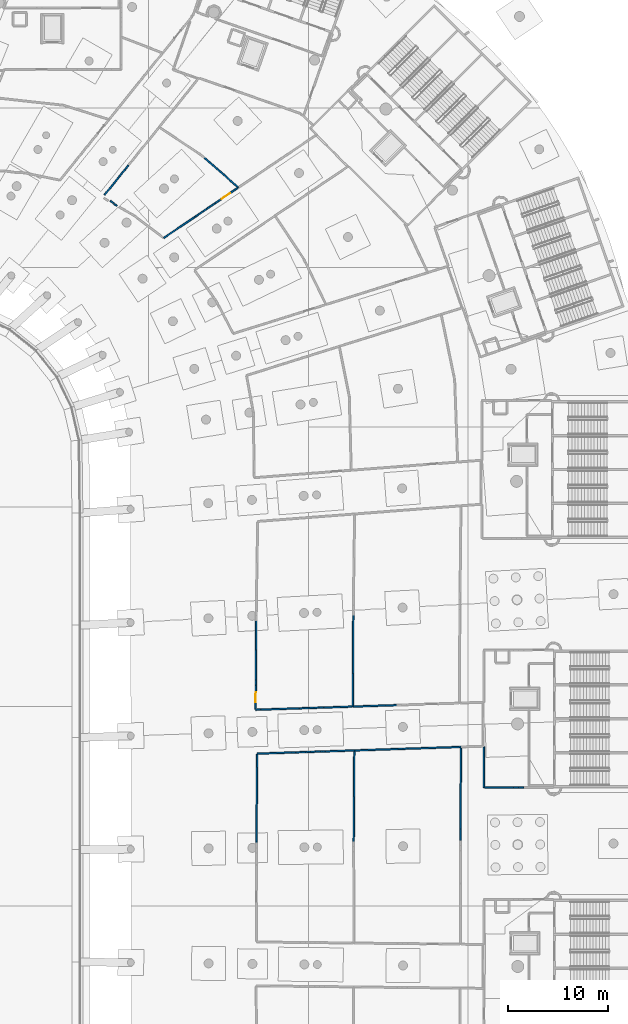
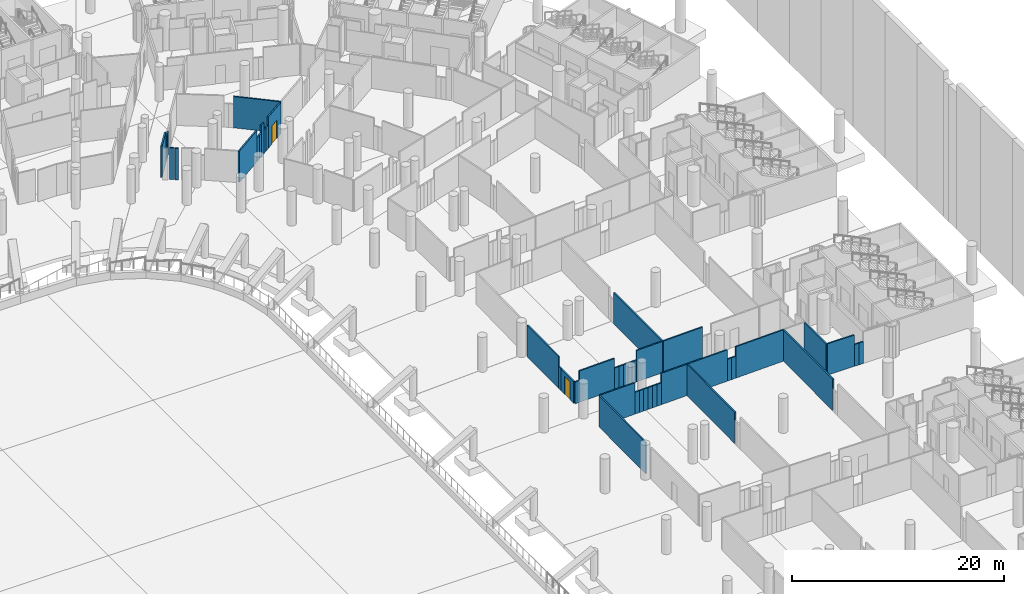
# One storey, part 82 of 142: 46 walls, 2 doors, 2 openings.
"""IFC4 building model written with IfcOpenShell, lengths in metres."""

from ifc_helpers import new_model, si_unit, direction, frame, frame_2d, origin, place, context, subcontext, project, spatial, rectangle, extrude, material, layer, layer_set, type_object, element, fill, save


model = new_model("IFC4")

# Units and contexts
model_context = context("Model", 3, precision=1e-05, world=origin(), true_north=direction((0.0, 1.0)))
body_context = subcontext(model_context, "Body", "Model", "MODEL_VIEW")
ifc_project = project(units=[si_unit("LENGTHUNIT", "METRE"), si_unit("AREAUNIT", "SQUARE_METRE"), si_unit("VOLUMEUNIT", "CUBIC_METRE"), si_unit("PLANEANGLEUNIT", "RADIAN"), si_unit("MASSUNIT", "GRAM", prefix="KILO")], contexts=[model_context])

# Site, building, storey
site_placement = place(None, origin())
site = spatial("IfcSite", under=ifc_project, at=site_placement, CompositionType="ELEMENT")
building_placement = place(site_placement, origin())
building = spatial("IfcBuilding", under=site, at=building_placement, Name="Meseta Stadium", CompositionType="ELEMENT")
storey_placement = place(building_placement, frame((0.0, 0.0, -4.0)))
storey = spatial("IfcBuildingStorey", under=building, at=storey_placement, Name="B1", CompositionType="ELEMENT", Elevation=-4.0)

# Walls
ifc_material_1 = material(Name="Masonry blockwork", Category="masonry")
ifc_layer = layer(ifc_material_1, 0.14990234375)
ifc_layer_set = layer_set([ifc_layer], Name="Partition 150")
wall_type = type_object("IfcWallType", Name="Partition 150", PredefinedType="PARTITIONING", material=ifc_layer_set)
wall_1_placement = place(storey_placement, frame((58.86279296875, 15.261474609375, 0.0), z_axis=(0.0, 0.0, 1.0), x_axis=(0.999459745106, 0.032866668724, 0.0)))
element("IfcWall", 1, at=wall_1_placement, inside=storey, type_object=wall_type, Name="Partition B1 B1-cell02-1-0", PredefinedType="PARTITIONING", context=body_context, shape_type="SweptSolid", body=[
    extrude(rectangle(XDim=3.89990234375, YDim=0.14990234375, at=frame_2d((1.949951171875, 0.0))), origin(), (0.0, 0.0, 1.0), 3.60009765625),
])
for number, where, z_axis, x_axis, name in (
    (2, (62.760498046875, 15.3896484375, 0.0), (0.0, 0.0, 1.0), (0.999470177511, 0.032547876522, 0.0), "Partition B1 B1-cell02-1-0"),
    (3, (63.247802734375, 15.405517578125, 0.0), (0.0, 0.0, 1.0), (0.999453763336, 0.033048070331, 0.0), "Partition B1 B1-cell02-1-0"),
    (4, (63.735107421875, 15.421630859375, 0.0), (0.0, 0.0, 1.0), (0.999453763336, 0.033048070331, 0.0), "Partition B1 B1-cell02-1-0"),
):
    element("IfcWall", number, at=place(storey_placement, frame(where, z_axis=z_axis, x_axis=x_axis)), inside=storey, type_object=wall_type, Name=name, PredefinedType="PARTITIONING", context=body_context, shape_type="SweptSolid", body=[
        extrude(rectangle(XDim=0.487548828125, YDim=0.14990234375, at=frame_2d((0.24365234375, 0.0))), origin(), (0.0, 0.0, 1.0), 2.5),
    ])
wall_2_placement = place(storey_placement, frame((64.222412109375, 15.437744140625, 0.0), z_axis=(0.0, 0.0, 1.0), x_axis=(0.99946964665, 0.032564173951, 0.0)))
element("IfcWall", 5, at=wall_2_placement, inside=storey, type_object=wall_type, Name="Partition B1 B1-cell02-1-0", PredefinedType="PARTITIONING", context=body_context, shape_type="SweptSolid", body=[
    extrude(rectangle(XDim=0.4873046875, YDim=0.14990234375, at=frame_2d((0.24365234375, 0.0))), origin(), (0.0, 0.0, 1.0), 2.5),
])
for number, where, z_axis, x_axis, name in (
    (6, (64.70947265625, 15.45361328125, 0.0), (0.0, 0.0, 1.0), (0.999453763336, 0.033048070331, 0.0), "Partition B1 B1-cell02-1-0"),
    (7, (65.19677734375, 15.4697265625, 0.0), (0.0, 0.0, 1.0), (0.999453763336, 0.033048070331, 0.0), "Partition B1 B1-cell02-1-0"),
):
    element("IfcWall", number, at=place(storey_placement, frame(where, z_axis=z_axis, x_axis=x_axis)), inside=storey, type_object=wall_type, Name=name, PredefinedType="PARTITIONING", context=body_context, shape_type="SweptSolid", body=[
        extrude(rectangle(XDim=0.487548828125, YDim=0.14990234375, at=frame_2d((0.24365234375, 0.0))), origin(), (0.0, 0.0, 1.0), 2.5),
    ])
wall_3_placement = place(storey_placement, frame((65.68408203125, 15.48583984375, 0.0), z_axis=(0.0, 0.0, 1.0), x_axis=(0.999461822055, 0.032803448811, 0.0)))
element("IfcWall", 8, at=wall_3_placement, inside=storey, type_object=wall_type, Name="Partition B1 B1-cell02-1-0", PredefinedType="PARTITIONING", context=body_context, shape_type="SweptSolid", body=[
    extrude(rectangle(XDim=2.9248046875, YDim=0.14990234375, at=frame_2d((1.46240234375, 0.0))), origin(), (0.0, 0.0, 1.0), 3.60009765625),
])
wall_4_placement = place(storey_placement, frame((68.60693359375, 15.5068359375, 0.0), z_axis=(0.0, 0.0, 1.0), x_axis=(-0.006118883866, -0.999981279455, 0.0)))
element("IfcWall", 9, at=wall_4_placement, inside=storey, type_object=wall_type, Name="Partition B1 B1-cell02-1-0", PredefinedType="PARTITIONING", context=body_context, shape_type="SweptSolid", body=[
    extrude(rectangle(XDim=9.09716796875, YDim=0.14990234375, at=frame_2d((4.548583984375, 0.0))), origin(), (0.0, 0.0, 1.0), 3.60009765625),
])
wall_5_placement = place(storey_placement, frame((58.80224609375, 6.317138671875, 0.0), z_axis=(0.0, 0.0, 1.0), x_axis=(0.006771480952, 0.99997707326, 0.0)))
element("IfcWall", 10, at=wall_5_placement, inside=storey, type_object=wall_type, Name="Partition B1 B1-cell02-1-0", PredefinedType="PARTITIONING", context=body_context, shape_type="SweptSolid", body=[
    extrude(rectangle(XDim=8.869384765625, YDim=0.14990234375, at=frame_2d((4.4345703125, 0.0))), origin(), (0.0, 0.0, 1.0), 3.60009765625),
])
wall_6_placement = place(storey_placement, frame((68.6572265625, 15.58349609375, 0.0), z_axis=(0.0, 0.0, 1.0), x_axis=(0.999458873683, 0.032893157594, 0.0)))
element("IfcWall", 11, at=wall_6_placement, inside=storey, type_object=wall_type, Name="Partition B1 B1-cell02-2-0", PredefinedType="PARTITIONING", context=body_context, shape_type="SweptSolid", body=[
    extrude(rectangle(XDim=4.35693359375, YDim=0.14990234375, at=frame_2d((2.178466796875, 0.0))), origin(), (0.0, 0.0, 1.0), 3.60009765625),
])
for number, where, z_axis, x_axis, name in (
    (12, (73.01171875, 15.726806640625, 0.0), (0.0, 0.0, 1.0), (0.99946267225, 0.03277753466, 0.0), "Partition B1 B1-cell02-2-0"),
    (13, (73.49560546875, 15.74267578125, 0.0), (0.0, 0.0, 1.0), (0.999446025752, 0.033281250101, 0.0), "Partition B1 B1-cell02-2-0"),
):
    element("IfcWall", number, at=place(storey_placement, frame(where, z_axis=z_axis, x_axis=x_axis)), inside=storey, type_object=wall_type, Name=name, PredefinedType="PARTITIONING", context=body_context, shape_type="SweptSolid", body=[
        extrude(rectangle(XDim=0.484130859375, YDim=0.14990234375, at=frame_2d((0.2421875, 0.0))), origin(), (0.0, 0.0, 1.0), 2.5),
    ])
wall_7_placement = place(storey_placement, frame((73.9794921875, 15.7587890625, 0.0), z_axis=(0.0, 0.0, 1.0), x_axis=(0.999461070607, 0.03282633608, 0.0)))
element("IfcWall", 14, at=wall_7_placement, inside=storey, type_object=wall_type, Name="Partition B1 B1-cell02-2-0", PredefinedType="PARTITIONING", context=body_context, shape_type="SweptSolid", body=[
    extrude(rectangle(XDim=5.3251953125, YDim=0.14990234375, at=frame_2d((2.66259765625, 0.0))), origin(), (0.0, 0.0, 1.0), 3.60009765625),
])
wall_8_placement = place(storey_placement, frame((79.30126953125, 15.858642578125, 0.0), z_axis=(0.0, 0.0, 1.0), x_axis=(-0.00544865386, -0.999985155975, 0.0)))
element("IfcWall", 15, at=wall_8_placement, inside=storey, type_object=wall_type, Name="Partition B1 B1-cell02-2-0", PredefinedType="PARTITIONING", context=body_context, shape_type="SweptSolid", body=[
    extrude(rectangle(XDim=9.320068359375, YDim=0.14990234375, at=frame_2d((4.66015625, 0.0))), origin(), (0.0, 0.0, 1.0), 3.60009765625),
])
wall_9_placement = place(storey_placement, frame((81.60009765625, 15.934326171875, 0.0), z_axis=(0.0, 0.0, 1.0), x_axis=(0.0, -1.0, 0.0)))
element("IfcWall", 16, at=wall_9_placement, inside=storey, type_object=wall_type, Name="Partition B1 B1-cell02-3-0", PredefinedType="PARTITIONING", context=body_context, shape_type="SweptSolid", body=[
    extrude(rectangle(XDim=4.084228515625, YDim=0.14990234375, at=frame_2d((2.0419921875, 0.0))), origin(), (0.0, 0.0, 1.0), 3.60009765625),
])
wall_10_placement = place(storey_placement, frame((81.675048828125, 11.85009765625, 0.0), z_axis=(0.0, 0.0, 1.0), x_axis=(1.0, 0.0, 0.0)))
element("IfcWall", 17, at=wall_10_placement, inside=storey, type_object=wall_type, Name="Partition B1 B1-cell02-3-0", PredefinedType="PARTITIONING", context=body_context, shape_type="SweptSolid", body=[
    extrude(rectangle(XDim=2.907958984375, YDim=0.14990234375, at=frame_2d((1.4541015625, 0.0))), origin(), (0.0, 0.0, 1.0), 3.60009765625),
])
for number, where, z_axis, x_axis, name in (
    (18, (84.5830078125, 11.85009765625, 0.0), (0.0, 0.0, 1.0), (1.0, 0.0, 0.0), "Partition B1 B1-cell02-3-0"),
    (19, (85.080078125, 11.85009765625, 0.0), (0.0, 0.0, 1.0), (1.0, 0.0, 0.0), "Partition B1 B1-cell02-3-0"),
):
    element("IfcWall", number, at=place(storey_placement, frame(where, z_axis=z_axis, x_axis=x_axis)), inside=storey, type_object=wall_type, Name=name, PredefinedType="PARTITIONING", context=body_context, shape_type="SweptSolid", body=[
        extrude(rectangle(XDim=0.4970703125, YDim=0.14990234375, at=frame_2d((0.24853515625, 0.0))), origin(), (0.0, 0.0, 1.0), 2.5),
    ])
wall_11_placement = place(storey_placement, frame((68.50634765625, 29.150390625, 0.0), z_axis=(0.0, 0.0, 1.0), x_axis=(-0.004738526292, -0.999988773121, 0.0)))
element("IfcWall", 20, at=wall_11_placement, inside=storey, type_object=wall_type, Name="Partition B1 B1-cell03-1-0", PredefinedType="PARTITIONING", context=body_context, shape_type="SweptSolid", body=[
    extrude(rectangle(XDim=9.1708984375, YDim=0.14990234375, at=frame_2d((4.58544921875, 0.0))), origin(), (0.0, 0.0, 1.0), 3.60009765625),
])
wall_12_placement = place(storey_placement, frame((68.3876953125, 19.97705078125, 0.0), z_axis=(0.0, 0.0, 1.0), x_axis=(-0.99945879552, -0.032895532483, 0.0)))
element("IfcWall", 21, at=wall_12_placement, inside=storey, type_object=wall_type, Name="Partition B1 B1-cell03-1-0", PredefinedType="PARTITIONING", context=body_context, shape_type="SweptSolid", body=[
    extrude(rectangle(XDim=2.849853515625, YDim=0.14990234375, at=frame_2d((1.4248046875, 0.0))), origin(), (0.0, 0.0, 1.0), 3.60009765625),
])
wall_13_placement = place(storey_placement, frame((65.539306640625, 19.88330078125, 0.0), z_axis=(0.0, 0.0, 1.0), x_axis=(-0.999470177511, -0.032547876522, 0.0)))
element("IfcWall", 22, at=wall_13_placement, inside=storey, type_object=wall_type, Name="Partition B1 B1-cell03-1-0", PredefinedType="PARTITIONING", context=body_context, shape_type="SweptSolid", body=[
    extrude(rectangle(XDim=0.487548828125, YDim=0.14990234375, at=frame_2d((0.24365234375, 0.0))), origin(), (0.0, 0.0, 1.0), 2.5),
])
wall_14_placement = place(storey_placement, frame((65.052001953125, 19.867431640625, 0.0), z_axis=(0.0, 0.0, 1.0), x_axis=(-0.999453216043, -0.033064617674, 0.0)))
element("IfcWall", 23, at=wall_14_placement, inside=storey, type_object=wall_type, Name="Partition B1 B1-cell03-1-0", PredefinedType="PARTITIONING", context=body_context, shape_type="SweptSolid", body=[
    extrude(rectangle(XDim=0.4873046875, YDim=0.14990234375, at=frame_2d((0.24365234375, 0.0))), origin(), (0.0, 0.0, 1.0), 2.5),
])
for number, where, z_axis, x_axis, name in (
    (24, (64.56494140625, 19.851318359375, 0.0), (0.0, 0.0, 1.0), (-0.999453763336, -0.033048070331, 0.0), "Partition B1 B1-cell03-1-0"),
    (25, (64.07763671875, 19.835205078125, 0.0), (0.0, 0.0, 1.0), (-0.999470177511, -0.032547876522, 0.0), "Partition B1 B1-cell03-1-0"),
):
    element("IfcWall", number, at=place(storey_placement, frame(where, z_axis=z_axis, x_axis=x_axis)), inside=storey, type_object=wall_type, Name=name, PredefinedType="PARTITIONING", context=body_context, shape_type="SweptSolid", body=[
        extrude(rectangle(XDim=0.487548828125, YDim=0.14990234375, at=frame_2d((0.24365234375, 0.0))), origin(), (0.0, 0.0, 1.0), 2.5),
    ])
wall_15_placement = place(storey_placement, frame((63.59033203125, 19.8193359375, 0.0), z_axis=(0.0, 0.0, 1.0), x_axis=(-0.999453216043, -0.033064617674, 0.0)))
element("IfcWall", 26, at=wall_15_placement, inside=storey, type_object=wall_type, Name="Partition B1 B1-cell03-1-0", PredefinedType="PARTITIONING", context=body_context, shape_type="SweptSolid", body=[
    extrude(rectangle(XDim=0.4873046875, YDim=0.14990234375, at=frame_2d((0.24365234375, 0.0))), origin(), (0.0, 0.0, 1.0), 2.5),
])
wall_16_placement = place(storey_placement, frame((63.103271484375, 19.80322265625, 0.0), z_axis=(0.0, 0.0, 1.0), x_axis=(-0.999459812725, -0.032864612406, 0.0)))
element("IfcWall", 27, at=wall_16_placement, inside=storey, type_object=wall_type, Name="Partition B1 B1-cell03-1-0", PredefinedType="PARTITIONING", context=body_context, shape_type="SweptSolid", body=[
    extrude(rectangle(XDim=3.900146484375, YDim=0.14990234375, at=frame_2d((1.9501953125, 0.0))), origin(), (0.0, 0.0, 1.0), 3.60009765625),
])
wall_17_placement = place(storey_placement, frame((59.205322265625, 19.675048828125, 0.0), z_axis=(0.0, 0.0, 1.0), x_axis=(-0.999453763336, -0.033048070331, 0.0)))
element("IfcWall", 28, at=wall_17_placement, inside=storey, type_object=wall_type, Name="Partition B1 B1-cell03-1-0", PredefinedType="PARTITIONING", context=body_context, shape_type="SweptSolid", body=[
    extrude(rectangle(XDim=0.487548828125, YDim=0.14990234375, at=frame_2d((0.24365234375, 0.0))), origin(), (0.0, 0.0, 1.0), 2.5),
])

# Wall, opening, door
wall_18_placement = place(storey_placement, frame((58.718505859375, 19.734130859375, 0.0), z_axis=(0.0, 0.0, 1.0), x_axis=(0.005877482589, 0.99998272745, 0.0)))
wall_18 = element("IfcWall", 29, at=wall_18_placement, inside=storey, type_object=wall_type, Name="Partition B1 B1-cell03-1-0", PredefinedType="PARTITIONING", context=body_context, shape_type="SweptSolid", body=[
    extrude(rectangle(XDim=2.4091796875, YDim=0.14990234375, at=frame_2d((1.20458984375, 0.0))), origin(), (0.0, 0.0, 1.0), 2.5),
])
opening_1_placement = place(wall_18_placement, frame((0.699951171875, 0.0, 0.0)))
opening_1 = element("IfcOpeningElement", 30, at=opening_1_placement, cuts=wall_18, Name="Opening D442", PredefinedType="OPENING", context=body_context, shape_type="SweptSolid", body=[
    extrude(rectangle(XDim=1.0, YDim=2.10009765625, at=frame_2d((0.5, 1.050048828125))), frame((0.0, 0.0849609375, 0.0), z_axis=(0.0, -1.0, 0.0), x_axis=(1.0, 0.0, 0.0)), (0.0, 0.0, 1.0), 0.169921875),
])
ifc_material_2 = material(Name="Steel", Category="steel")
door_type = type_object("IfcDoorType", Name="Fire door 1000x2100 EI2 60", OperationType="NOTDEFINED", PredefinedType="DOOR", material=ifc_material_2)
door_1_placement = place(opening_1_placement, origin())
door_1 = element("IfcDoor", 31, at=door_1_placement, inside=storey, type_object=door_type, Name="Door D442", OperationType="SINGLE_SWING_RIGHT", OverallHeight=2.10009765625, OverallWidth=1.0, PredefinedType="DOOR", context=body_context, shape_type="SweptSolid", body=[
    extrude(rectangle(XDim=1.0, YDim=2.10009765625, at=frame_2d((0.5, 1.050048828125))), frame((0.0, 0.02490234375, 0.0), z_axis=(0.0, -1.0, 0.0), x_axis=(1.0, 0.0, 0.0)), (0.0, 0.0, 1.0), 0.050048828125),
])
fill(opening_1, door_1)

# Walls
wall_19_placement = place(storey_placement, frame((58.732666015625, 22.143310546875, 0.0), z_axis=(0.0, 0.0, 1.0), x_axis=(0.005896703377, 0.999982614294, 0.0)))
element("IfcWall", 32, at=wall_19_placement, inside=storey, type_object=wall_type, Name="Partition B1 B1-cell03-1-0", PredefinedType="PARTITIONING", context=body_context, shape_type="SweptSolid", body=[
    extrude(rectangle(XDim=0.496826171875, YDim=0.14990234375, at=frame_2d((0.24853515625, 0.0))), origin(), (0.0, 0.0, 1.0), 2.5),
])
wall_20_placement = place(storey_placement, frame((58.735595703125, 22.64013671875, 0.0), z_axis=(0.0, 0.0, 1.0), x_axis=(0.005855275926, 0.999982857725, 0.0)))
element("IfcWall", 33, at=wall_20_placement, inside=storey, type_object=wall_type, Name="Partition B1 B1-cell03-1-0", PredefinedType="PARTITIONING", context=body_context, shape_type="SweptSolid", body=[
    extrude(rectangle(XDim=5.96240234375, YDim=0.14990234375, at=frame_2d((2.981201171875, 0.0))), origin(), (0.0, 0.0, 1.0), 3.60009765625),
])
wall_21_placement = place(storey_placement, frame((72.8671875, 20.12451171875, 0.0), z_axis=(0.0, 0.0, 1.0), x_axis=(-0.999458873683, -0.032893157594, 0.0)))
element("IfcWall", 34, at=wall_21_placement, inside=storey, type_object=wall_type, Name="Partition B1 B1-cell03-2-0", PredefinedType="PARTITIONING", context=body_context, shape_type="SweptSolid", body=[
    extrude(rectangle(XDim=4.35693359375, YDim=0.14990234375, at=frame_2d((2.178466796875, 0.0))), origin(), (0.0, 0.0, 1.0), 3.60009765625),
])
wall_22_placement = place(storey_placement, frame((53.559814453125, 75.01123046875, 0.0), z_axis=(0.0, 0.0, 1.0), x_axis=(0.753891280965, -0.656999190627, 0.0)))
element("IfcWall", 35, at=wall_22_placement, inside=storey, type_object=wall_type, Name="Partition B1 B1-cell06-1-0", PredefinedType="PARTITIONING", context=body_context, shape_type="SweptSolid", body=[
    extrude(rectangle(XDim=4.550537109375, YDim=0.14990234375, at=frame_2d((2.275390625, 0.0))), origin(), (0.0, 0.0, 1.0), 3.60009765625),
])

# Wall, opening, door
wall_23_placement = place(storey_placement, frame((56.92626953125, 71.97802734375, 0.0), z_axis=(0.0, 0.0, 1.0), x_axis=(-0.828833397724, -0.559495485967, 0.0)))
wall_23 = element("IfcWall", 36, at=wall_23_placement, inside=storey, type_object=wall_type, Name="Partition B1 B1-cell06-1-0", PredefinedType="PARTITIONING", context=body_context, shape_type="SweptSolid", body=[
    extrude(rectangle(XDim=2.779052734375, YDim=0.14990234375, at=frame_2d((1.3896484375, 0.0))), origin(), (0.0, 0.0, 1.0), 3.60009765625),
])
opening_2_placement = place(wall_23_placement, frame((0.949951171875, 0.0, 0.0)))
opening_2 = element("IfcOpeningElement", 37, at=opening_2_placement, cuts=wall_23, Name="Opening D451", PredefinedType="OPENING", context=body_context, shape_type="SweptSolid", body=[
    extrude(rectangle(XDim=1.0, YDim=2.10009765625, at=frame_2d((0.5, 1.050048828125))), frame((0.0, 0.0849609375, 0.0), z_axis=(0.0, -1.0, 0.0), x_axis=(1.0, 0.0, 0.0)), (0.0, 0.0, 1.0), 0.169921875),
])
door_2_placement = place(opening_2_placement, origin())
door_2 = element("IfcDoor", 38, at=door_2_placement, inside=storey, type_object=door_type, Name="Door D451", OperationType="SINGLE_SWING_RIGHT", OverallHeight=2.10009765625, OverallWidth=1.0, PredefinedType="DOOR", context=body_context, shape_type="SweptSolid", body=[
    extrude(rectangle(XDim=1.0, YDim=2.10009765625, at=frame_2d((0.5, 1.050048828125))), frame((0.0, 0.02490234375, 0.0), z_axis=(0.0, -1.0, 0.0), x_axis=(1.0, 0.0, 0.0)), (0.0, 0.0, 1.0), 0.050048828125),
])
fill(opening_2, door_2)

# Walls
wall_24_placement = place(storey_placement, frame((54.622802734375, 70.423095703125, 0.0), z_axis=(0.0, 0.0, 1.0), x_axis=(-0.828801105453, -0.559543320575, 0.0)))
element("IfcWall", 39, at=wall_24_placement, inside=storey, type_object=wall_type, Name="Partition B1 B1-cell06-1-0", PredefinedType="PARTITIONING", context=body_context, shape_type="SweptSolid", body=[
    extrude(rectangle(XDim=0.47607421875, YDim=0.14990234375, at=frame_2d((0.238037109375, 0.0))), origin(), (0.0, 0.0, 1.0), 2.699951171875),
])
wall_25_placement = place(storey_placement, frame((54.228271484375, 70.15673828125, 0.0), z_axis=(0.0, 0.0, 1.0), x_axis=(-0.828961577554, -0.559305554182, 0.0)))
element("IfcWall", 40, at=wall_25_placement, inside=storey, type_object=wall_type, Name="Partition B1 B1-cell06-1-0", PredefinedType="PARTITIONING", context=body_context, shape_type="SweptSolid", body=[
    extrude(rectangle(XDim=0.476318359375, YDim=0.14990234375, at=frame_2d((0.23828125, 0.0))), origin(), (0.0, 0.0, 1.0), 2.699951171875),
])
wall_26_placement = place(storey_placement, frame((53.83349609375, 69.890380859375, 0.0), z_axis=(0.0, 0.0, 1.0), x_axis=(-0.828563254438, -0.559895466489, 0.0)))
element("IfcWall", 41, at=wall_26_placement, inside=storey, type_object=wall_type, Name="Partition B1 B1-cell06-1-0", PredefinedType="PARTITIONING", context=body_context, shape_type="SweptSolid", body=[
    extrude(rectangle(XDim=0.47607421875, YDim=0.14990234375, at=frame_2d((0.238037109375, 0.0))), origin(), (0.0, 0.0, 1.0), 3.60009765625),
])
wall_27_placement = place(storey_placement, frame((53.43896484375, 69.623779296875, 0.0), z_axis=(0.0, 0.0, 1.0), x_axis=(-0.828961577554, -0.559305554182, 0.0)))
element("IfcWall", 42, at=wall_27_placement, inside=storey, type_object=wall_type, Name="Partition B1 B1-cell06-1-0", PredefinedType="PARTITIONING", context=body_context, shape_type="SweptSolid", body=[
    extrude(rectangle(XDim=0.476318359375, YDim=0.14990234375, at=frame_2d((0.23828125, 0.0))), origin(), (0.0, 0.0, 1.0), 2.699951171875),
])
wall_28_placement = place(storey_placement, frame((53.044189453125, 69.357421875, 0.0), z_axis=(0.0, 0.0, 1.0), x_axis=(-0.828801105453, -0.559543320575, 0.0)))
element("IfcWall", 43, at=wall_28_placement, inside=storey, type_object=wall_type, Name="Partition B1 B1-cell06-1-0", PredefinedType="PARTITIONING", context=body_context, shape_type="SweptSolid", body=[
    extrude(rectangle(XDim=0.47607421875, YDim=0.14990234375, at=frame_2d((0.238037109375, 0.0))), origin(), (0.0, 0.0, 1.0), 2.699951171875),
])
wall_29_placement = place(storey_placement, frame((52.649658203125, 69.091064453125, 0.0), z_axis=(0.0, 0.0, 1.0), x_axis=(-0.828831583129, -0.559498174088, 0.0)))
element("IfcWall", 44, at=wall_29_placement, inside=storey, type_object=wall_type, Name="Partition B1 B1-cell06-1-0", PredefinedType="PARTITIONING", context=body_context, shape_type="SweptSolid", body=[
    extrude(rectangle(XDim=3.808837890625, YDim=0.14990234375, at=frame_2d((1.904296875, 0.0))), origin(), (0.0, 0.0, 1.0), 3.60009765625),
])
wall_30_placement = place(storey_placement, frame((44.81884765625, 70.19384765625, 0.0), z_axis=(0.0, 0.0, 1.0), x_axis=(-0.866802402074, 0.498651778056, 0.0)))
element("IfcWall", 45, at=wall_30_placement, inside=storey, type_object=wall_type, Name="Partition B1 B1-cell06-1-0", PredefinedType="PARTITIONING", context=body_context, shape_type="SweptSolid", body=[
    extrude(rectangle(XDim=0.35546875, YDim=0.14990234375, at=frame_2d((0.177734375, 0.0))), origin(), (0.0, 0.0, 1.0), 3.60009765625),
])
wall_31_placement = place(storey_placement, frame((44.5029296875, 70.4453125, 0.0), z_axis=(0.0, 0.0, 1.0), x_axis=(-0.835969785123, 0.54877547172, 0.0)))
element("IfcWall", 46, at=wall_31_placement, inside=storey, type_object=wall_type, Name="Partition B1 B1-cell06-1-0", PredefinedType="PARTITIONING", context=body_context, shape_type="SweptSolid", body=[
    extrude(rectangle(XDim=0.447998046875, YDim=0.14990234375, at=frame_2d((0.22412109375, 0.0))), origin(), (0.0, 0.0, 1.0), 3.60009765625),
])
wall_32_placement = place(storey_placement, frame((43.56396484375, 71.27978515625, 0.0), z_axis=(0.0, 0.0, 1.0), x_axis=(0.628055791036, 0.778168312993, 0.0)))
element("IfcWall", 47, at=wall_32_placement, inside=storey, type_object=wall_type, Name="Partition B1 B1-cell06-1-0", PredefinedType="PARTITIONING", context=body_context, shape_type="SweptSolid", body=[
    extrude(rectangle(XDim=2.343505859375, YDim=0.14990234375, at=frame_2d((1.171875, 0.0))), origin(), (0.0, 0.0, 1.0), 3.60009765625),
])
wall_33_placement = place(storey_placement, frame((45.035888671875, 73.103515625, 0.0), z_axis=(0.0, 0.0, 1.0), x_axis=(0.628024551218, 0.77819352546, 0.0)))
element("IfcWall", 48, at=wall_33_placement, inside=storey, type_object=wall_type, Name="Partition B1 B1-cell06-1-0", PredefinedType="PARTITIONING", context=body_context, shape_type="SweptSolid", body=[
    extrude(rectangle(XDim=0.490966796875, YDim=0.14990234375, at=frame_2d((0.24560546875, 0.0))), origin(), (0.0, 0.0, 1.0), 2.699951171875),
])
wall_34_placement = place(storey_placement, frame((45.34423828125, 73.485595703125, 0.0), z_axis=(0.0, 0.0, 1.0), x_axis=(0.627781597155, 0.778389533764, 0.0)))
element("IfcWall", 49, at=wall_34_placement, inside=storey, type_object=wall_type, Name="Partition B1 B1-cell06-1-0", PredefinedType="PARTITIONING", context=body_context, shape_type="SweptSolid", body=[
    extrude(rectangle(XDim=0.4912109375, YDim=0.14990234375, at=frame_2d((0.24560546875, 0.0))), origin(), (0.0, 0.0, 1.0), 2.699951171875),
])
wall_35_placement = place(storey_placement, frame((45.652587890625, 73.867919921875, 0.0), z_axis=(0.0, 0.0, 1.0), x_axis=(0.628024551218, 0.77819352546, 0.0)))
element("IfcWall", 50, at=wall_35_placement, inside=storey, type_object=wall_type, Name="Partition B1 B1-cell06-1-0", PredefinedType="PARTITIONING", context=body_context, shape_type="SweptSolid", body=[
    extrude(rectangle(XDim=0.490966796875, YDim=0.14990234375, at=frame_2d((0.24560546875, 0.0))), origin(), (0.0, 0.0, 1.0), 2.699951171875),
])

save(model, "model.ifc")
